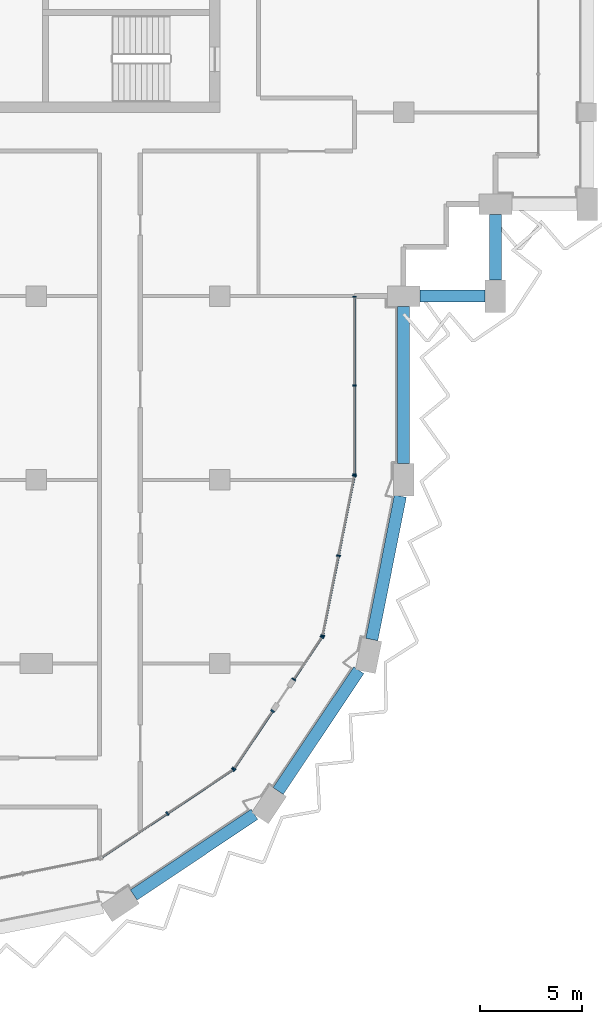
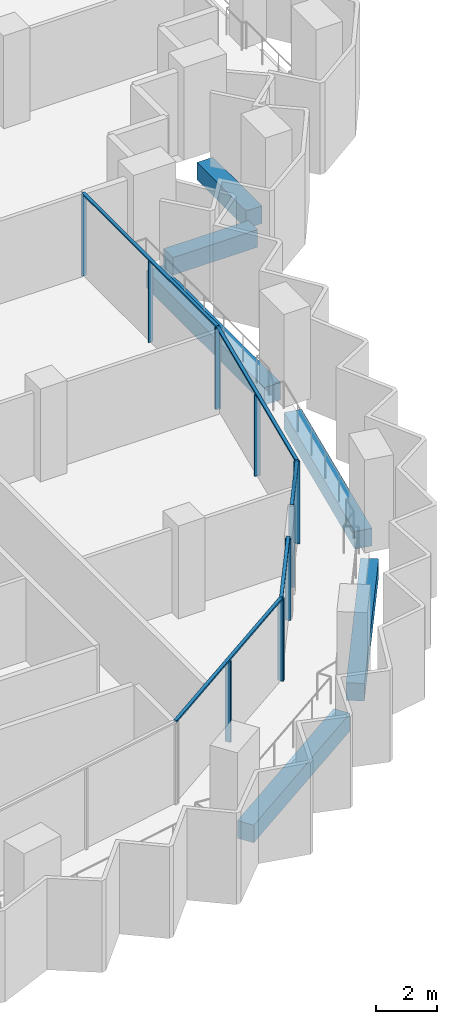
# One storey, part 3 of 16: 17 members, 6 beams, 5 elements without a shape of their own.
"""IFC4 building model written with IfcOpenShell, lengths in metres."""

from ifc_helpers import new_model, si_unit, direction, frame, origin, origin_2d, place, context, subcontext, project, spatial, rectangle, extrude, material, material_profile, profile_set, type_object, element, aggregate, save


model = new_model("IFC4")

# Units and contexts
model_context = context("Model", 3, precision=1e-05, world=origin(), true_north=direction((0.0, 1.0)))
body_context = subcontext(model_context, "Body", "Model", "MODEL_VIEW")
ifc_project = project(units=[si_unit("LENGTHUNIT", "METRE"), si_unit("AREAUNIT", "SQUARE_METRE"), si_unit("VOLUMEUNIT", "CUBIC_METRE"), si_unit("PLANEANGLEUNIT", "RADIAN"), si_unit("MASSUNIT", "GRAM", prefix="KILO")], contexts=[model_context])

# Site, building, storey
site_placement = place(None, origin())
site = spatial("IfcSite", under=ifc_project, at=site_placement, CompositionType="ELEMENT")
building_placement = place(site_placement, origin())
building = spatial("IfcBuilding", under=site, at=building_placement, Name="Hunhe Ridgeline Campus", CompositionType="ELEMENT")
storey_placement = place(building_placement, frame((0.0, 0.0, 250.300048828125)))
storey = spatial("IfcBuildingStorey", under=building, at=storey_placement, Name="L64", CompositionType="ELEMENT", Elevation=250.300048828125)

# Curtain wall, members
ifc_material_1 = material(Name="Aluminium 6063", Category="aluminium")
curtain_wall_type_1 = type_object("IfcCurtainWallType", Name="Curtain wall CW-1", PredefinedType="NOTDEFINED", material=ifc_material_1)
curtain_wall_1_placement = place(storey_placement, origin())
curtain_wall_1 = element("IfcCurtainWall", 1, at=curtain_wall_1_placement, inside=storey, type_object=curtain_wall_type_1, Name="Curtain wall 11", PredefinedType="NOTDEFINED")
ifc_material_profile_1 = material_profile(ifc_material_1, rectangle(XDim=0.159912109375, YDim=0.06005859375, at=origin_2d()))
ifc_profile_set_1 = profile_set([ifc_material_profile_1], Name="Aluminium 6063")
member_type_1 = type_object("IfcMemberType", Name="CW-1 aluminium mullion", PredefinedType="MULLION", material=ifc_profile_set_1)
member_1_placement = place(storey_placement, frame((42.59912109375, 45.266357421875, 0.0), z_axis=(0.0, 0.0, 1.0), x_axis=(-0.999999999814, 1.9283253e-05, 0.0)))
member_1 = element("IfcMember", 2, at=member_1_placement, type_object=member_type_1, Name="CW-1 mullion 1", PredefinedType="MULLION", context=body_context, shape_type="SweptSolid", body=[
    extrude(rectangle(XDim=0.159912109375, YDim=0.06005859375, at=origin_2d()), origin(), (0.0, 0.0, 1.0), 3.239990234375),
])
member_2_placement = place(storey_placement, frame((42.59912109375, 49.618408203125, 0.0), z_axis=(0.0, 0.0, 1.0), x_axis=(-0.999999999814, 1.9283253e-05, 0.0)))
member_2 = element("IfcMember", 3, at=member_2_placement, type_object=member_type_1, Name="CW-1 mullion 2", PredefinedType="MULLION", context=body_context, shape_type="SweptSolid", body=[
    extrude(rectangle(XDim=0.159912109375, YDim=0.06005859375, at=origin_2d()), origin(), (0.0, 0.0, 1.0), 3.239990234375),
])
member_3_placement = place(storey_placement, frame((42.59912109375, 53.970458984375, 0.0), z_axis=(0.0, 0.0, 1.0), x_axis=(-0.999999999814, 1.9283253e-05, 0.0)))
member_3 = element("IfcMember", 4, at=member_3_placement, type_object=member_type_1, Name="CW-1 mullion 3", PredefinedType="MULLION", context=body_context, shape_type="SweptSolid", body=[
    extrude(rectangle(XDim=0.159912109375, YDim=0.06005859375, at=origin_2d()), origin(), (0.0, 0.0, 1.0), 3.239990234375),
])
ifc_material_profile_2 = material_profile(ifc_material_1, rectangle(XDim=0.1201171875, YDim=0.06005859375, at=origin_2d()))
ifc_profile_set_2 = profile_set([ifc_material_profile_2], Name="Aluminium 6063")
member_type_2 = type_object("IfcMemberType", Name="CW-1 aluminium transom", PredefinedType="USERDEFINED", material=ifc_profile_set_2)
member_4_placement = place(storey_placement, frame((42.59912109375, 45.236572265625, 3.27001953125), z_axis=(0.0, 1.0, 0.0), x_axis=(-1.0, 0.0, 0.0)))
member_4 = element("IfcMember", 5, at=member_4_placement, type_object=member_type_2, Name="CW-1 transom 1", ObjectType="TRANSOM", PredefinedType="USERDEFINED", context=body_context, shape_type="SweptSolid", body=[
    extrude(rectangle(XDim=0.1201171875, YDim=0.06005859375, at=origin_2d()), origin(), (0.0, 0.0, 1.0), 8.763916015625),
])
aggregate(curtain_wall_1, [member_4, member_1, member_2, member_3])

curtain_wall_type_2 = type_object("IfcCurtainWallType", Name="Curtain wall CW-5", PredefinedType="NOTDEFINED", material=ifc_material_1)
curtain_wall_2_placement = place(storey_placement, origin())
curtain_wall_2 = element("IfcCurtainWall", 6, at=curtain_wall_2_placement, inside=storey, type_object=curtain_wall_type_2, Name="Curtain wall 07", PredefinedType="NOTDEFINED")
ifc_material_profile_3 = material_profile(ifc_material_1, rectangle(XDim=0.199951171875, YDim=0.070068359375, at=origin_2d()))
ifc_profile_set_3 = profile_set([ifc_material_profile_3], Name="Aluminium 6063")
member_type_3 = type_object("IfcMemberType", Name="CW-5 aluminium mullion", PredefinedType="MULLION", material=ifc_profile_set_3)
member_5_placement = place(storey_placement, frame((33.42626953125, 28.647705078125, 0.0), z_axis=(0.0, 0.0, 1.0), x_axis=(-0.555570274596, 0.831469584522, 0.0)))
member_5 = element("IfcMember", 7, at=member_5_placement, type_object=member_type_3, Name="CW-5 mullion 2", PredefinedType="MULLION", context=body_context, shape_type="SweptSolid", body=[
    extrude(rectangle(XDim=0.199951171875, YDim=0.070068359375, at=origin_2d()), origin(), (0.0, 0.0, 1.0), 3.22998046875),
])
member_6_placement = place(storey_placement, frame((36.649658203125, 30.8017578125, 0.0), z_axis=(0.0, 0.0, 1.0), x_axis=(-0.555570274596, 0.831469584522, 0.0)))
member_6 = element("IfcMember", 8, at=member_6_placement, type_object=member_type_3, Name="CW-5 mullion 3", PredefinedType="MULLION", context=body_context, shape_type="SweptSolid", body=[
    extrude(rectangle(XDim=0.199951171875, YDim=0.070068359375, at=origin_2d()), origin(), (0.0, 0.0, 1.0), 3.22998046875),
])

curtain_wall_3_placement = place(storey_placement, origin())
curtain_wall_3 = element("IfcCurtainWall", 9, at=curtain_wall_3_placement, inside=storey, type_object=curtain_wall_type_2, Name="Curtain wall 08", PredefinedType="NOTDEFINED")
member_7_placement = place(storey_placement, frame((36.6982421875, 30.850341796875, 0.0), z_axis=(0.0, 0.0, 1.0), x_axis=(-0.831469595944, 0.555570257501, 0.0)))
member_7 = element("IfcMember", 10, at=member_7_placement, type_object=member_type_3, Name="CW-5 mullion 1", PredefinedType="MULLION", context=body_context, shape_type="SweptSolid", body=[
    extrude(rectangle(XDim=0.199951171875, YDim=0.070068359375, at=origin_2d()), origin(), (0.0, 0.0, 1.0), 3.22998046875),
])
member_8_placement = place(storey_placement, frame((38.582763671875, 33.67041015625, 0.0), z_axis=(0.0, 0.0, 1.0), x_axis=(-0.831469595944, 0.555570257501, 0.0)))
member_8 = element("IfcMember", 11, at=member_8_placement, type_object=member_type_3, Name="CW-5 mullion 2", PredefinedType="MULLION", context=body_context, shape_type="SweptSolid", body=[
    extrude(rectangle(XDim=0.199951171875, YDim=0.070068359375, at=origin_2d()), origin(), (0.0, 0.0, 1.0), 3.22998046875),
])

curtain_wall_4_placement = place(storey_placement, origin())
curtain_wall_4 = element("IfcCurtainWall", 12, at=curtain_wall_4_placement, inside=storey, type_object=curtain_wall_type_2, Name="Curtain wall 09", PredefinedType="NOTDEFINED")
member_9_placement = place(storey_placement, frame((39.62158203125, 35.225341796875, 0.0), z_axis=(0.0, 0.0, 1.0), x_axis=(-0.831469510353, 0.555570385598, 0.0)))
member_9 = element("IfcMember", 13, at=member_9_placement, type_object=member_type_3, Name="CW-5 mullion 1", PredefinedType="MULLION", context=body_context, shape_type="SweptSolid", body=[
    extrude(rectangle(XDim=0.199951171875, YDim=0.070068359375, at=origin_2d()), origin(), (0.0, 0.0, 1.0), 3.22998046875),
])
member_10_placement = place(storey_placement, frame((41.006103515625, 37.29736328125, 0.0), z_axis=(0.0, 0.0, 1.0), x_axis=(-0.831469510353, 0.555570385598, 0.0)))
member_10 = element("IfcMember", 14, at=member_10_placement, type_object=member_type_3, Name="CW-5 mullion 2", PredefinedType="MULLION", context=body_context, shape_type="SweptSolid", body=[
    extrude(rectangle(XDim=0.199951171875, YDim=0.070068359375, at=origin_2d()), origin(), (0.0, 0.0, 1.0), 3.22998046875),
])

curtain_wall_5_placement = place(storey_placement, origin())
curtain_wall_5 = element("IfcCurtainWall", 15, at=curtain_wall_5_placement, inside=storey, type_object=curtain_wall_type_2, Name="Curtain wall 10", PredefinedType="NOTDEFINED")
member_11_placement = place(storey_placement, frame((41.032470703125, 37.36083984375, 0.0), z_axis=(0.0, 0.0, 1.0), x_axis=(-0.980785284939, 0.195090299215, 0.0)))
member_11 = element("IfcMember", 16, at=member_11_placement, type_object=member_type_3, Name="CW-5 mullion 1", PredefinedType="MULLION", context=body_context, shape_type="SweptSolid", body=[
    extrude(rectangle(XDim=0.199951171875, YDim=0.070068359375, at=origin_2d()), origin(), (0.0, 0.0, 1.0), 3.22998046875),
])
member_12_placement = place(storey_placement, frame((41.812255859375, 41.281494140625, 0.0), z_axis=(0.0, 0.0, 1.0), x_axis=(-0.980785284939, 0.195090299215, 0.0)))
member_12 = element("IfcMember", 17, at=member_12_placement, type_object=member_type_3, Name="CW-5 mullion 2", PredefinedType="MULLION", context=body_context, shape_type="SweptSolid", body=[
    extrude(rectangle(XDim=0.199951171875, YDim=0.070068359375, at=origin_2d()), origin(), (0.0, 0.0, 1.0), 3.22998046875),
])
member_13_placement = place(storey_placement, frame((42.59228515625, 45.2021484375, 0.0), z_axis=(0.0, 0.0, 1.0), x_axis=(-0.980785284939, 0.195090299215, 0.0)))
member_13 = element("IfcMember", 18, at=member_13_placement, type_object=member_type_3, Name="CW-5 mullion 3", PredefinedType="MULLION", context=body_context, shape_type="SweptSolid", body=[
    extrude(rectangle(XDim=0.199951171875, YDim=0.070068359375, at=origin_2d()), origin(), (0.0, 0.0, 1.0), 3.22998046875),
])

# Member
ifc_material_profile_4 = material_profile(ifc_material_1, rectangle(XDim=0.1201171875, YDim=0.070068359375, at=origin_2d()))
ifc_profile_set_4 = profile_set([ifc_material_profile_4], Name="Aluminium 6063")
member_type_4 = type_object("IfcMemberType", Name="CW-5 aluminium transom", PredefinedType="USERDEFINED", material=ifc_profile_set_4)
member_14_placement = place(storey_placement, frame((30.173583984375, 26.474365234375, 3.264892578125), z_axis=(0.831473763475, 0.5555640203, 0.0), x_axis=(-0.5555640203, 0.831473763475, 0.0)))
member_14 = element("IfcMember", 19, at=member_14_placement, type_object=member_type_4, Name="CW-5 transom 1", ObjectType="TRANSOM", PredefinedType="USERDEFINED", context=body_context, shape_type="SweptSolid", body=[
    extrude(rectangle(XDim=0.1201171875, YDim=0.070068359375, at=origin_2d()), origin(), (0.0, 0.0, 1.0), 7.823974609375),
])

aggregate(curtain_wall_2, [member_14, member_5, member_6])

member_15_placement = place(storey_placement, frame((36.678955078125, 30.821044921875, 3.264892578125), z_axis=(0.555546133463, 0.831485714606, 0.0), x_axis=(-0.831485714606, 0.555546133463, 0.0)))
member_15 = element("IfcMember", 20, at=member_15_placement, type_object=member_type_4, Name="CW-5 transom 1", ObjectType="TRANSOM", PredefinedType="USERDEFINED", context=body_context, shape_type="SweptSolid", body=[
    extrude(rectangle(XDim=0.1201171875, YDim=0.070068359375, at=origin_2d()), origin(), (0.0, 0.0, 1.0), 3.462158203125),
])

aggregate(curtain_wall_3, [member_15, member_7, member_8])

member_16_placement = place(storey_placement, frame((39.602294921875, 35.1962890625, 3.264892578125), z_axis=(0.555579547735, 0.831463388334, 0.0), x_axis=(-0.831463388334, 0.555579547735, 0.0)))
member_16 = element("IfcMember", 21, at=member_16_placement, type_object=member_type_4, Name="CW-5 transom 1", ObjectType="TRANSOM", PredefinedType="USERDEFINED", context=body_context, shape_type="SweptSolid", body=[
    extrude(rectangle(XDim=0.1201171875, YDim=0.070068359375, at=origin_2d()), origin(), (0.0, 0.0, 1.0), 2.56201171875),
])

aggregate(curtain_wall_4, [member_16, member_9, member_10])

member_17_placement = place(storey_placement, frame((41.025634765625, 37.326416015625, 3.264892578125), z_axis=(0.195097290093, 0.980783894341, 0.0), x_axis=(-0.980783894341, 0.195097290093, 0.0)))
member_17 = element("IfcMember", 22, at=member_17_placement, type_object=member_type_4, Name="CW-5 transom 1", ObjectType="TRANSOM", PredefinedType="USERDEFINED", context=body_context, shape_type="SweptSolid", body=[
    extrude(rectangle(XDim=0.1201171875, YDim=0.070068359375, at=origin_2d()), origin(), (0.0, 0.0, 1.0), 8.065185546875),
])

aggregate(curtain_wall_5, [member_17, member_11, member_12, member_13])

# Beams
ifc_material_2 = material(Name="Concrete C50", Category="concrete")
ifc_material_profile_5 = material_profile(ifc_material_2, rectangle(XDim=0.60009765625, YDim=0.699951171875, at=origin_2d()))
ifc_profile_set_5 = profile_set([ifc_material_profile_5], Name="Concrete C50")
beam_type = type_object("IfcBeamType", Name="RC spandrel beam 600x700 Concrete C50", PredefinedType="SPANDREL", material=ifc_profile_set_5)
for number, where, z_axis, x_axis, name in (
    (23, (31.775634765625, 24.6572265625, -0.60009765625), (0.831463706344, 0.55557907181, 0.0), (-0.55557907181, 0.831463706344, 0.0), "Spandrel beam B4-6 L64"),
    (24, (38.854248046875, 29.75537109375, -0.60009765625), (0.55557907181, 0.831463706344, 0.0), (-0.831463706344, 0.55557907181, 0.0), "Spandrel beam B4-7 L64"),
):
    element("IfcBeam", number, at=place(storey_placement, frame(where, z_axis=z_axis, x_axis=x_axis)), inside=storey, type_object=beam_type, Name=name, PredefinedType="SPANDREL", context=body_context, shape_type="SweptSolid", body=[
        extrude(rectangle(XDim=0.60009765625, YDim=0.699951171875, at=origin_2d()), origin(), (0.0, 0.0, 1.0), 7.113037109375),
    ])
beam_1_placement = place(storey_placement, frame((43.443359375, 37.17431640625, -0.60009765625), z_axis=(0.195087004291, 0.980785940334, 0.0), x_axis=(-0.980785940334, 0.195087004291, 0.0)))
element("IfcBeam", 25, at=beam_1_placement, inside=storey, type_object=beam_type, Name="Spandrel beam B4-8 L64", PredefinedType="SPANDREL", context=body_context, shape_type="SweptSolid", body=[
    extrude(rectangle(XDim=0.60009765625, YDim=0.699951171875, at=origin_2d()), origin(), (0.0, 0.0, 1.0), 7.163330078125),
])
beam_2_placement = place(storey_placement, frame((45.0, 45.800048828125, -0.60009765625), z_axis=(0.0, 1.0, 0.0), x_axis=(-1.0, 0.0, 0.0)))
element("IfcBeam", 26, at=beam_2_placement, inside=storey, type_object=beam_type, Name="Spandrel beam B4-9 L64", PredefinedType="SPANDREL", context=body_context, shape_type="SweptSolid", body=[
    extrude(rectangle(XDim=0.60009765625, YDim=0.699951171875, at=origin_2d()), origin(), (0.0, 0.0, 1.0), 7.699951171875),
])
for number, where, z_axis, x_axis, name in (
    (27, (45.800048828125, 54.0, -0.60009765625), (1.0, 0.0, 0.0), (0.0, 1.0, 0.0), "Spandrel beam B4-10 L64"),
    (28, (49.5, 54.800048828125, -0.60009765625), (0.0, 1.0, 0.0), (-1.0, 0.0, 0.0), "Spandrel beam B4-11 L64"),
):
    element("IfcBeam", number, at=place(storey_placement, frame(where, z_axis=z_axis, x_axis=x_axis)), inside=storey, type_object=beam_type, Name=name, PredefinedType="SPANDREL", context=body_context, shape_type="SweptSolid", body=[
        extrude(rectangle(XDim=0.60009765625, YDim=0.699951171875, at=origin_2d()), origin(), (0.0, 0.0, 1.0), 3.199951171875),
    ])

save(model, "model.ifc")
